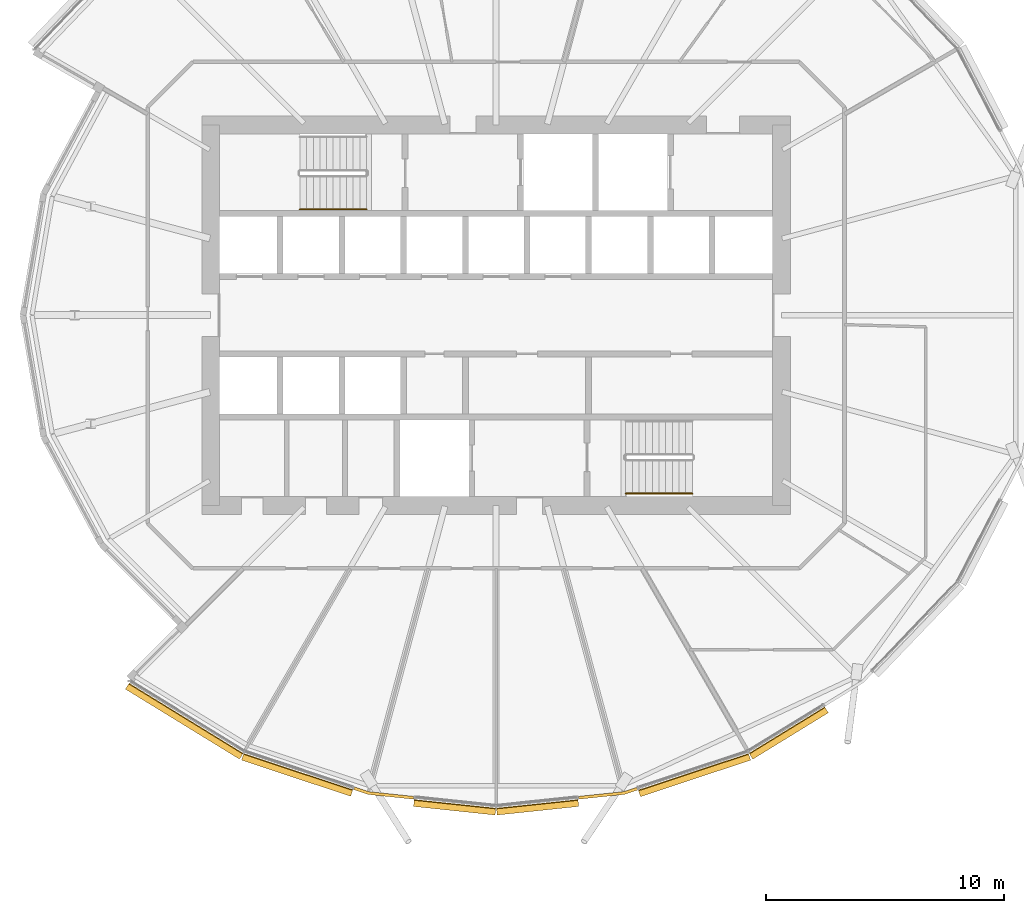
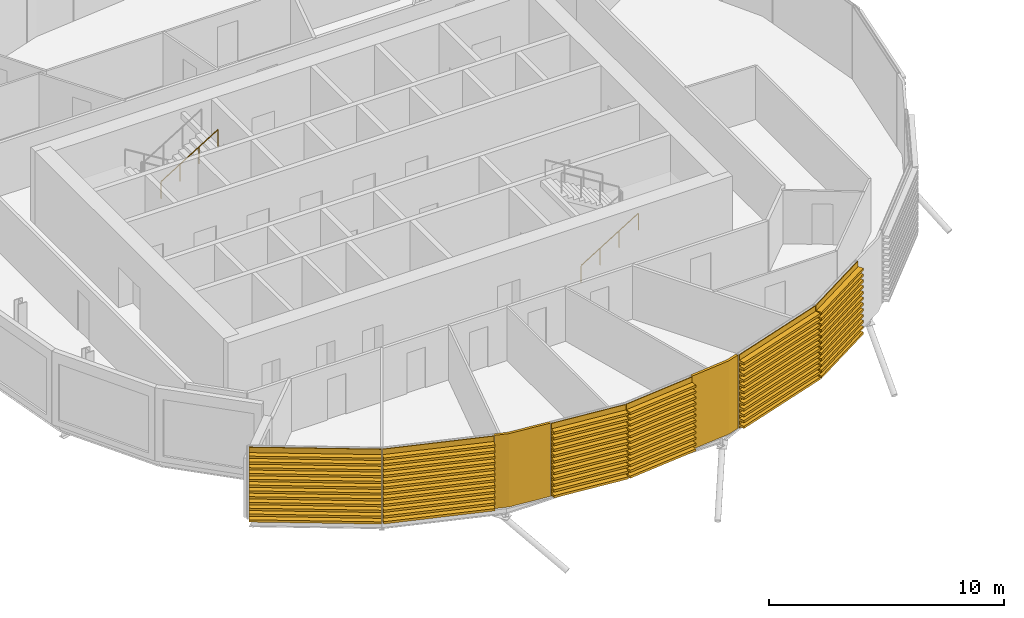
# One storey, part 33 of 38: 8 coverings, 2 railings.
"""IFC4 building model written with IfcOpenShell, lengths in metres."""

from ifc_helpers import new_model, si_unit, direction, frame, origin, origin_2d, place, context, subcontext, project, spatial, polyline, circle, outline, extrude, material, layer, layer_set, material_profile, profile_set, type_object, element, save


model = new_model("IFC4")

# Units and contexts
model_context = context("Model", 3, precision=1e-05, world=origin(), true_north=direction((0.0, 1.0)))
body_context = subcontext(model_context, "Body", "Model", "MODEL_VIEW")
ifc_project = project(units=[si_unit("LENGTHUNIT", "METRE"), si_unit("AREAUNIT", "SQUARE_METRE"), si_unit("VOLUMEUNIT", "CUBIC_METRE"), si_unit("PLANEANGLEUNIT", "RADIAN"), si_unit("MASSUNIT", "GRAM", prefix="KILO")], contexts=[model_context])

# Site, building, storey
site_placement = place(None, origin())
site = spatial("IfcSite", under=ifc_project, at=site_placement, CompositionType="ELEMENT")
building_placement = place(site_placement, origin())
building = spatial("IfcBuilding", under=site, at=building_placement, Name="Rimbun Link Towers", CompositionType="ELEMENT")
storey_placement = place(building_placement, frame((0.0, 0.0, 123.39990234375)))
storey = spatial("IfcBuildingStorey", under=building, at=storey_placement, Name="L30", CompositionType="ELEMENT", Elevation=123.39990234375)

# Coverings
ifc_material_1 = material(Name="Terracotta", Category="masonry")
ifc_layer = layer(ifc_material_1, 0.1201171875)
ifc_layer_set = layer_set([ifc_layer], Name="LINK PIER terracotta cladding 120")
covering_type_1 = type_object("IfcCoveringType", Name="LINK PIER terracotta cladding 120", PredefinedType="CLADDING", material=ifc_layer_set)
covering_1_placement = place(storey_placement, origin())
element("IfcCovering", 1, at=covering_1_placement, inside=storey, type_object=covering_type_1, Name="LINK PIER cladding", PredefinedType="CLADDING", context=body_context, shape_type="SweptSolid", body=[
    extrude(outline(polyline([(-35.20849609375, -20.23486328125), (-37.117919921875, -20.03369140625), (-37.70654296875, -19.838623046875), (-37.744384765625, -19.95263671875), (-37.1435546875, -20.151611328125), (-35.22119140625, -20.354248046875), (-35.20849609375, -20.23486328125)])), origin(), (0.0, 0.0, 1.0), 3.800048828125),
])
covering_2_placement = place(storey_placement, origin())
element("IfcCovering", 2, at=covering_2_placement, inside=storey, type_object=covering_type_1, Name="LINK PIER cladding", PredefinedType="CLADDING", context=body_context, shape_type="SweptSolid", body=[
    extrude(outline(polyline([(-25.8408203125, -19.8544921875), (-26.382080078125, -20.03369140625), (-28.29150390625, -20.23486328125), (-28.27880859375, -20.354248046875), (-26.3564453125, -20.151611328125), (-25.80322265625, -19.96826171875), (-25.8408203125, -19.8544921875)])), origin(), (0.0, 0.0, 1.0), 3.800048828125),
])

# Railings
ifc_material_2 = material(Name="Stainless steel grade 316", Category="steel")
railing_type = type_object("IfcRailingType", Name="Stair handrail", PredefinedType="HANDRAIL", material=ifc_material_2)
for number, where, name in (
    (3, (-40.0, 4.449951171875, 2.07275390625), "L30 ST1 stair handrail 2"),
    (4, (-26.300048828125, -7.5, 0.1728515625), "L30 ST2 stair handrail 1"),
):
    element("IfcRailing", number, at=place(storey_placement, frame(where)), inside=storey, type_object=railing_type, Name=name, PredefinedType="HANDRAIL", context=body_context, shape_type="SweptSolid", body=[
        extrude(circle(Radius=0.02392578125, at=origin_2d()), frame((0.0, 0.0, 0.8759765625), z_axis=(0.851089632645, 0.0, 0.525020415988), x_axis=(0.0, 1.0, 0.0)), (0.0, 0.0, 1.0), 3.2900390625),
        extrude(circle(Radius=0.02099609375, at=origin_2d()), origin(), (0.0, 0.0, 1.0), 0.851806640625),
        extrude(circle(Radius=0.02099609375, at=origin_2d()), frame((0.933349609375, 0.0, 0.57568359375)), (0.0, 0.0, 1.0), 0.851806640625),
        extrude(circle(Radius=0.02099609375, at=origin_2d()), frame((1.86669921875, 0.0, 1.151611328125)), (0.0, 0.0, 1.0), 0.851806640625),
        extrude(circle(Radius=0.02099609375, at=origin_2d()), frame((2.800048828125, 0.0, 1.727294921875)), (0.0, 0.0, 1.0), 0.851806640625),
    ])

# Coverings
ifc_material_3 = material(Name="Terracotta", Category="masonry")
ifc_material_profile = material_profile(ifc_material_3, outline(polyline([(0.123046875, 0.0), (0.1630859375, 0.0), (0.1630859375, 0.10009765625), (0.423095703125, 0.10009765625), (0.423095703125, 0.219970703125), (0.1630859375, 0.219970703125), (0.1630859375, 0.39990234375), (0.423095703125, 0.39990234375), (0.423095703125, 0.52001953125), (0.1630859375, 0.52001953125), (0.1630859375, 0.699951171875), (0.423095703125, 0.699951171875), (0.423095703125, 0.820068359375), (0.1630859375, 0.820068359375), (0.1630859375, 1.0), (0.423095703125, 1.0), (0.423095703125, 1.1201171875), (0.1630859375, 1.1201171875), (0.1630859375, 1.300048828125), (0.423095703125, 1.300048828125), (0.423095703125, 1.419921875), (0.1630859375, 1.419921875), (0.1630859375, 1.60009765625), (0.423095703125, 1.60009765625), (0.423095703125, 1.719970703125), (0.1630859375, 1.719970703125), (0.1630859375, 1.89990234375), (0.423095703125, 1.89990234375), (0.423095703125, 2.02001953125), (0.1630859375, 2.02001953125), (0.1630859375, 2.199951171875), (0.423095703125, 2.199951171875), (0.423095703125, 2.320068359375), (0.1630859375, 2.320068359375), (0.1630859375, 2.5), (0.423095703125, 2.5), (0.423095703125, 2.6201171875), (0.1630859375, 2.6201171875), (0.1630859375, 2.800048828125), (0.423095703125, 2.800048828125), (0.423095703125, 2.919921875), (0.1630859375, 2.919921875), (0.1630859375, 3.10009765625), (0.423095703125, 3.10009765625), (0.423095703125, 3.219970703125), (0.1630859375, 3.219970703125), (0.1630859375, 3.39990234375), (0.423095703125, 3.39990234375), (0.423095703125, 3.52001953125), (0.1630859375, 3.52001953125), (0.1630859375, 3.800048828125), (0.123046875, 3.800048828125), (0.123046875, 0.0)])), Name="BAGUETTE 120X300")
ifc_profile_set = profile_set([ifc_material_profile], Name="Terracotta")
covering_type_2 = type_object("IfcCoveringType", Name="TERRACOTTA BAGUETTE 120X300 H3800", PredefinedType="CLADDING", material=ifc_profile_set)
covering_3_placement = place(storey_placement, frame((-42.321044921875, -18.3095703125, 0.0), z_axis=(-0.852160023154, 0.523281277076, 0.0), x_axis=(-0.523281277076, -0.852160023154, 0.0)))
element("IfcCovering", 5, at=covering_3_placement, inside=storey, type_object=covering_type_2, Name="TERRACOTTA BAGUETTE", PredefinedType="CLADDING", context=body_context, shape_type="SweptSolid", body=[
    extrude(outline(polyline([(0.123046875, 0.0), (0.1630859375, 0.0), (0.1630859375, 0.10009765625), (0.423095703125, 0.10009765625), (0.423095703125, 0.219970703125), (0.1630859375, 0.219970703125), (0.1630859375, 0.39990234375), (0.423095703125, 0.39990234375), (0.423095703125, 0.52001953125), (0.1630859375, 0.52001953125), (0.1630859375, 0.699951171875), (0.423095703125, 0.699951171875), (0.423095703125, 0.820068359375), (0.1630859375, 0.820068359375), (0.1630859375, 1.0), (0.423095703125, 1.0), (0.423095703125, 1.1201171875), (0.1630859375, 1.1201171875), (0.1630859375, 1.300048828125), (0.423095703125, 1.300048828125), (0.423095703125, 1.419921875), (0.1630859375, 1.419921875), (0.1630859375, 1.60009765625), (0.423095703125, 1.60009765625), (0.423095703125, 1.719970703125), (0.1630859375, 1.719970703125), (0.1630859375, 1.89990234375), (0.423095703125, 1.89990234375), (0.423095703125, 2.02001953125), (0.1630859375, 2.02001953125), (0.1630859375, 2.199951171875), (0.423095703125, 2.199951171875), (0.423095703125, 2.320068359375), (0.1630859375, 2.320068359375), (0.1630859375, 2.5), (0.423095703125, 2.5), (0.423095703125, 2.6201171875), (0.1630859375, 2.6201171875), (0.1630859375, 2.800048828125), (0.423095703125, 2.800048828125), (0.423095703125, 2.919921875), (0.1630859375, 2.919921875), (0.1630859375, 3.10009765625), (0.423095703125, 3.10009765625), (0.423095703125, 3.219970703125), (0.1630859375, 3.219970703125), (0.1630859375, 3.39990234375), (0.423095703125, 3.39990234375), (0.423095703125, 3.52001953125), (0.1630859375, 3.52001953125), (0.1630859375, 3.800048828125), (0.123046875, 3.800048828125), (0.123046875, 0.0)])), origin(), (0.0, 0.0, 1.0), 5.626220703125),
])
covering_4_placement = place(storey_placement, frame((-37.735107421875, -19.829345703125, 0.0), z_axis=(-0.94923268065, 0.314574820967, 0.0), x_axis=(-0.314574820967, -0.94923268065, 0.0)))
element("IfcCovering", 6, at=covering_4_placement, inside=storey, type_object=covering_type_2, Name="TERRACOTTA BAGUETTE", PredefinedType="CLADDING", context=body_context, shape_type="SweptSolid", body=[
    extrude(outline(polyline([(0.123046875, 0.0), (0.1630859375, 0.0), (0.1630859375, 0.10009765625), (0.423095703125, 0.10009765625), (0.423095703125, 0.219970703125), (0.1630859375, 0.219970703125), (0.1630859375, 0.39990234375), (0.423095703125, 0.39990234375), (0.423095703125, 0.52001953125), (0.1630859375, 0.52001953125), (0.1630859375, 0.699951171875), (0.423095703125, 0.699951171875), (0.423095703125, 0.820068359375), (0.1630859375, 0.820068359375), (0.1630859375, 1.0), (0.423095703125, 1.0), (0.423095703125, 1.1201171875), (0.1630859375, 1.1201171875), (0.1630859375, 1.300048828125), (0.423095703125, 1.300048828125), (0.423095703125, 1.419921875), (0.1630859375, 1.419921875), (0.1630859375, 1.60009765625), (0.423095703125, 1.60009765625), (0.423095703125, 1.719970703125), (0.1630859375, 1.719970703125), (0.1630859375, 1.89990234375), (0.423095703125, 1.89990234375), (0.423095703125, 2.02001953125), (0.1630859375, 2.02001953125), (0.1630859375, 2.199951171875), (0.423095703125, 2.199951171875), (0.423095703125, 2.320068359375), (0.1630859375, 2.320068359375), (0.1630859375, 2.5), (0.423095703125, 2.5), (0.423095703125, 2.6201171875), (0.1630859375, 2.6201171875), (0.1630859375, 2.800048828125), (0.423095703125, 2.800048828125), (0.423095703125, 2.919921875), (0.1630859375, 2.919921875), (0.1630859375, 3.10009765625), (0.423095703125, 3.10009765625), (0.423095703125, 3.219970703125), (0.1630859375, 3.219970703125), (0.1630859375, 3.39990234375), (0.423095703125, 3.39990234375), (0.423095703125, 3.52001953125), (0.1630859375, 3.52001953125), (0.1630859375, 3.800048828125), (0.123046875, 3.800048828125), (0.123046875, 0.0)])), origin(), (0.0, 0.0, 1.0), 4.831298828125),
])
for number, where, z_axis, x_axis, name in (
    (7, (-31.75, -20.59912109375, 0.0), (-0.99450040754, 0.104732704554, 0.0), (-0.104732704554, -0.99450040754, 0.0), "TERRACOTTA BAGUETTE"),
    (8, (-28.3212890625, -20.238037109375, 0.0), (-0.99450040754, -0.104732704554, 0.0), (0.104732704554, -0.99450040754, 0.0), "TERRACOTTA BAGUETTE"),
):
    element("IfcCovering", number, at=place(storey_placement, frame(where, z_axis=z_axis, x_axis=x_axis)), inside=storey, type_object=covering_type_2, Name=name, PredefinedType="CLADDING", context=body_context, shape_type="SweptSolid", body=[
        extrude(outline(polyline([(0.123046875, 0.0), (0.1630859375, 0.0), (0.1630859375, 0.10009765625), (0.423095703125, 0.10009765625), (0.423095703125, 0.219970703125), (0.1630859375, 0.219970703125), (0.1630859375, 0.39990234375), (0.423095703125, 0.39990234375), (0.423095703125, 0.52001953125), (0.1630859375, 0.52001953125), (0.1630859375, 0.699951171875), (0.423095703125, 0.699951171875), (0.423095703125, 0.820068359375), (0.1630859375, 0.820068359375), (0.1630859375, 1.0), (0.423095703125, 1.0), (0.423095703125, 1.1201171875), (0.1630859375, 1.1201171875), (0.1630859375, 1.300048828125), (0.423095703125, 1.300048828125), (0.423095703125, 1.419921875), (0.1630859375, 1.419921875), (0.1630859375, 1.60009765625), (0.423095703125, 1.60009765625), (0.423095703125, 1.719970703125), (0.1630859375, 1.719970703125), (0.1630859375, 1.89990234375), (0.423095703125, 1.89990234375), (0.423095703125, 2.02001953125), (0.1630859375, 2.02001953125), (0.1630859375, 2.199951171875), (0.423095703125, 2.199951171875), (0.423095703125, 2.320068359375), (0.1630859375, 2.320068359375), (0.1630859375, 2.5), (0.423095703125, 2.5), (0.423095703125, 2.6201171875), (0.1630859375, 2.6201171875), (0.1630859375, 2.800048828125), (0.423095703125, 2.800048828125), (0.423095703125, 2.919921875), (0.1630859375, 2.919921875), (0.1630859375, 3.10009765625), (0.423095703125, 3.10009765625), (0.423095703125, 3.219970703125), (0.1630859375, 3.219970703125), (0.1630859375, 3.39990234375), (0.423095703125, 3.39990234375), (0.423095703125, 3.52001953125), (0.1630859375, 3.52001953125), (0.1630859375, 3.800048828125), (0.123046875, 3.800048828125), (0.123046875, 0.0)])), origin(), (0.0, 0.0, 1.0), 3.44775390625),
    ])
covering_5_placement = place(storey_placement, frame((-21.178955078125, -18.3095703125, 0.0), z_axis=(-0.949241981904, -0.314546752948, 0.0), x_axis=(0.314546752948, -0.949241981904, 0.0)))
element("IfcCovering", 9, at=covering_5_placement, inside=storey, type_object=covering_type_2, Name="TERRACOTTA BAGUETTE", PredefinedType="CLADDING", context=body_context, shape_type="SweptSolid", body=[
    extrude(outline(polyline([(0.123046875, 0.0), (0.1630859375, 0.0), (0.1630859375, 0.10009765625), (0.423095703125, 0.10009765625), (0.423095703125, 0.219970703125), (0.1630859375, 0.219970703125), (0.1630859375, 0.39990234375), (0.423095703125, 0.39990234375), (0.423095703125, 0.52001953125), (0.1630859375, 0.52001953125), (0.1630859375, 0.699951171875), (0.423095703125, 0.699951171875), (0.423095703125, 0.820068359375), (0.1630859375, 0.820068359375), (0.1630859375, 1.0), (0.423095703125, 1.0), (0.423095703125, 1.1201171875), (0.1630859375, 1.1201171875), (0.1630859375, 1.300048828125), (0.423095703125, 1.300048828125), (0.423095703125, 1.419921875), (0.1630859375, 1.419921875), (0.1630859375, 1.60009765625), (0.423095703125, 1.60009765625), (0.423095703125, 1.719970703125), (0.1630859375, 1.719970703125), (0.1630859375, 1.89990234375), (0.423095703125, 1.89990234375), (0.423095703125, 2.02001953125), (0.1630859375, 2.02001953125), (0.1630859375, 2.199951171875), (0.423095703125, 2.199951171875), (0.423095703125, 2.320068359375), (0.1630859375, 2.320068359375), (0.1630859375, 2.5), (0.423095703125, 2.5), (0.423095703125, 2.6201171875), (0.1630859375, 2.6201171875), (0.1630859375, 2.800048828125), (0.423095703125, 2.800048828125), (0.423095703125, 2.919921875), (0.1630859375, 2.919921875), (0.1630859375, 3.10009765625), (0.423095703125, 3.10009765625), (0.423095703125, 3.219970703125), (0.1630859375, 3.219970703125), (0.1630859375, 3.39990234375), (0.423095703125, 3.39990234375), (0.423095703125, 3.52001953125), (0.1630859375, 3.52001953125), (0.1630859375, 3.800048828125), (0.123046875, 3.800048828125), (0.123046875, 0.0)])), origin(), (0.0, 0.0, 1.0), 4.88134765625),
])
covering_6_placement = place(storey_placement, frame((-18.003662109375, -16.35986328125, 0.0), z_axis=(-0.852175326292, -0.523256355203, 0.0), x_axis=(0.523256355203, -0.852175326292, 0.0)))
element("IfcCovering", 10, at=covering_6_placement, inside=storey, type_object=covering_type_2, Name="TERRACOTTA BAGUETTE", PredefinedType="CLADDING", context=body_context, shape_type="SweptSolid", body=[
    extrude(outline(polyline([(0.123046875, 0.0), (0.1630859375, 0.0), (0.1630859375, 0.10009765625), (0.423095703125, 0.10009765625), (0.423095703125, 0.219970703125), (0.1630859375, 0.219970703125), (0.1630859375, 0.39990234375), (0.423095703125, 0.39990234375), (0.423095703125, 0.52001953125), (0.1630859375, 0.52001953125), (0.1630859375, 0.699951171875), (0.423095703125, 0.699951171875), (0.423095703125, 0.820068359375), (0.1630859375, 0.820068359375), (0.1630859375, 1.0), (0.423095703125, 1.0), (0.423095703125, 1.1201171875), (0.1630859375, 1.1201171875), (0.1630859375, 1.300048828125), (0.423095703125, 1.300048828125), (0.423095703125, 1.419921875), (0.1630859375, 1.419921875), (0.1630859375, 1.60009765625), (0.423095703125, 1.60009765625), (0.423095703125, 1.719970703125), (0.1630859375, 1.719970703125), (0.1630859375, 1.89990234375), (0.423095703125, 1.89990234375), (0.423095703125, 2.02001953125), (0.1630859375, 2.02001953125), (0.1630859375, 2.199951171875), (0.423095703125, 2.199951171875), (0.423095703125, 2.320068359375), (0.1630859375, 2.320068359375), (0.1630859375, 2.5), (0.423095703125, 2.5), (0.423095703125, 2.6201171875), (0.1630859375, 2.6201171875), (0.1630859375, 2.800048828125), (0.423095703125, 2.800048828125), (0.423095703125, 2.919921875), (0.1630859375, 2.919921875), (0.1630859375, 3.10009765625), (0.423095703125, 3.10009765625), (0.423095703125, 3.219970703125), (0.1630859375, 3.219970703125), (0.1630859375, 3.39990234375), (0.423095703125, 3.39990234375), (0.423095703125, 3.52001953125), (0.1630859375, 3.52001953125), (0.1630859375, 3.800048828125), (0.123046875, 3.800048828125), (0.123046875, 0.0)])), origin(), (0.0, 0.0, 1.0), 3.72607421875),
])

save(model, "model.ifc")
